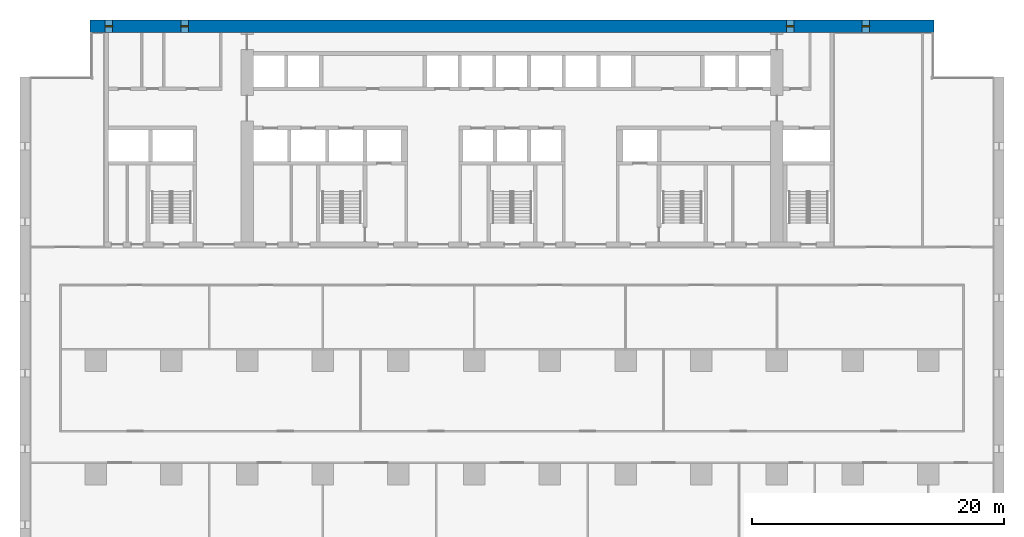
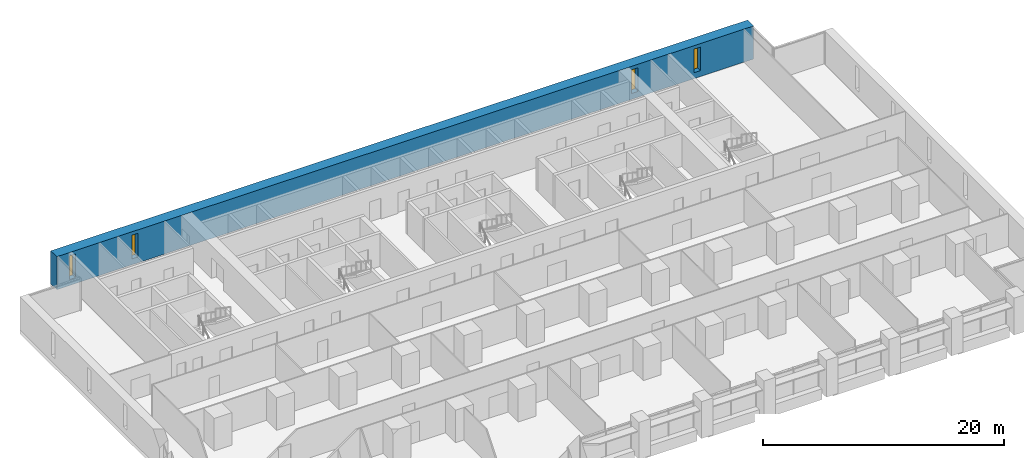
# One storey, part 12 of 18: 4 windows, 1 wall, 4 openings.
"""IFC4 building model written with IfcOpenShell, lengths in metres."""

from ifc_helpers import new_model, si_unit, direction, frame, frame_2d, origin, place, context, subcontext, project, spatial, rectangle, extrude, material, layer, layer_set, type_object, element, fill, save


model = new_model("IFC4")

# Units and contexts
model_context = context("Model", 3, precision=1e-05, world=origin(), true_north=direction((0.0, 1.0)))
body_context = subcontext(model_context, "Body", "Model", "MODEL_VIEW")
ifc_project = project(units=[si_unit("LENGTHUNIT", "METRE"), si_unit("AREAUNIT", "SQUARE_METRE"), si_unit("VOLUMEUNIT", "CUBIC_METRE"), si_unit("PLANEANGLEUNIT", "RADIAN"), si_unit("MASSUNIT", "GRAM", prefix="KILO")], contexts=[model_context])

# Site, building, storey
site_placement = place(None, origin())
site = spatial("IfcSite", under=ifc_project, at=site_placement, CompositionType="ELEMENT")
building_placement = place(site_placement, origin())
building = spatial("IfcBuilding", under=site, at=building_placement, Name="Calvaro Tower", CompositionType="ELEMENT")
storey_placement = place(building_placement, frame((0.0, 0.0, 48.75)))
storey = spatial("IfcBuildingStorey", under=building, at=storey_placement, Name="L11", CompositionType="ELEMENT", Elevation=48.75)

# Wall, openings, windows
ifc_material_1 = material(Name="Concrete C80/95", Category="concrete")
ifc_layer = layer(ifc_material_1, 1.0)
ifc_layer_set = layer_set([ifc_layer], Name="Concrete C80/95")
wall_type = type_object("IfcWallType", Name="Rear core wall 1000 C80/95", PredefinedType="SHEAR", material=ifc_layer_set)
wall_placement = place(storey_placement, frame((5.550048828125, 45.5, 0.0), z_axis=(0.0, 0.0, 1.0), x_axis=(1.0, 0.0, 0.0)))
wall = element("IfcWall", 1, at=wall_placement, inside=storey, type_object=wall_type, Name="North core wall", PredefinedType="SHEAR", context=body_context, shape_type="SweptSolid", body=[
    extrude(rectangle(XDim=66.89990234375, YDim=1.0, at=frame_2d((33.449951171875, 0.0))), origin(), (0.0, 0.0, 1.0), 3.35009765625),
])
opening_1_placement = place(wall_placement, frame((1.199951171875, 0.0, 0.60009765625)))
opening_1 = element("IfcOpeningElement", 2, at=opening_1_placement, cuts=wall, Name="Opening WN01", PredefinedType="OPENING", context=body_context, shape_type="SweptSolid", body=[
    extrude(rectangle(XDim=0.60009765625, YDim=2.39990234375, at=frame_2d((0.300048828125, 1.199951171875))), frame((0.0, 0.510009765625, 0.0), z_axis=(0.0, -1.0, 0.0), x_axis=(1.0, 0.0, 0.0)), (0.0, 0.0, 1.0), 1.02001953125),
])
opening_2_placement = place(wall_placement, frame((7.199951171875, 0.0, 0.60009765625)))
opening_2 = element("IfcOpeningElement", 3, at=opening_2_placement, cuts=wall, Name="Opening WN02", PredefinedType="OPENING", context=body_context, shape_type="SweptSolid", body=[
    extrude(rectangle(XDim=0.60009765625, YDim=2.39990234375, at=frame_2d((0.300048828125, 1.199951171875))), frame((0.0, 0.510009765625, 0.0), z_axis=(0.0, -1.0, 0.0), x_axis=(1.0, 0.0, 0.0)), (0.0, 0.0, 1.0), 1.02001953125),
])
opening_3_placement = place(wall_placement, frame((55.199951171875, 0.0, 0.60009765625)))
opening_3 = element("IfcOpeningElement", 4, at=opening_3_placement, cuts=wall, Name="Opening WN10", PredefinedType="OPENING", context=body_context, shape_type="SweptSolid", body=[
    extrude(rectangle(XDim=0.60009765625, YDim=2.39990234375, at=frame_2d((0.300048828125, 1.199951171875))), frame((0.0, 0.510009765625, 0.0), z_axis=(0.0, -1.0, 0.0), x_axis=(1.0, 0.0, 0.0)), (0.0, 0.0, 1.0), 1.02001953125),
])
opening_4_placement = place(wall_placement, frame((61.199951171875, 0.0, 0.60009765625)))
opening_4 = element("IfcOpeningElement", 5, at=opening_4_placement, cuts=wall, Name="Opening WN11", PredefinedType="OPENING", context=body_context, shape_type="SweptSolid", body=[
    extrude(rectangle(XDim=0.60009765625, YDim=2.39990234375, at=frame_2d((0.300048828125, 1.199951171875))), frame((0.0, 0.510009765625, 0.0), z_axis=(0.0, -1.0, 0.0), x_axis=(1.0, 0.0, 0.0)), (0.0, 0.0, 1.0), 1.02001953125),
])
ifc_material_2 = material(Name="Glass", Category="glass")
window_type = type_object("IfcWindowType", Name="Slit window 600 x 2400", PartitioningType="SINGLE_PANEL", PredefinedType="WINDOW", material=ifc_material_2)
window_1_placement = place(opening_1_placement, origin())
window_1 = element("IfcWindow", 6, at=window_1_placement, inside=storey, type_object=window_type, Name="Window WN01", OverallHeight=2.39990234375, OverallWidth=0.60009765625, PartitioningType="SINGLE_PANEL", PredefinedType="WINDOW", context=body_context, shape_type="SweptSolid", body=[
    extrude(rectangle(XDim=0.60009765625, YDim=2.39990234375, at=frame_2d((0.300048828125, 1.199951171875))), frame((0.0, 0.030029296875, 0.0), z_axis=(0.0, -1.0, 0.0), x_axis=(1.0, 0.0, 0.0)), (0.0, 0.0, 1.0), 0.06005859375),
])
fill(opening_1, window_1)
window_2_placement = place(opening_2_placement, origin())
window_2 = element("IfcWindow", 7, at=window_2_placement, inside=storey, type_object=window_type, Name="Window WN02", OverallHeight=2.39990234375, OverallWidth=0.60009765625, PartitioningType="SINGLE_PANEL", PredefinedType="WINDOW", context=body_context, shape_type="SweptSolid", body=[
    extrude(rectangle(XDim=0.60009765625, YDim=2.39990234375, at=frame_2d((0.300048828125, 1.199951171875))), frame((0.0, 0.030029296875, 0.0), z_axis=(0.0, -1.0, 0.0), x_axis=(1.0, 0.0, 0.0)), (0.0, 0.0, 1.0), 0.06005859375),
])
fill(opening_2, window_2)
window_3_placement = place(opening_3_placement, origin())
window_3 = element("IfcWindow", 8, at=window_3_placement, inside=storey, type_object=window_type, Name="Window WN10", OverallHeight=2.39990234375, OverallWidth=0.60009765625, PartitioningType="SINGLE_PANEL", PredefinedType="WINDOW", context=body_context, shape_type="SweptSolid", body=[
    extrude(rectangle(XDim=0.60009765625, YDim=2.39990234375, at=frame_2d((0.300048828125, 1.199951171875))), frame((0.0, 0.030029296875, 0.0), z_axis=(0.0, -1.0, 0.0), x_axis=(1.0, 0.0, 0.0)), (0.0, 0.0, 1.0), 0.06005859375),
])
fill(opening_3, window_3)
window_4_placement = place(opening_4_placement, origin())
window_4 = element("IfcWindow", 9, at=window_4_placement, inside=storey, type_object=window_type, Name="Window WN11", OverallHeight=2.39990234375, OverallWidth=0.60009765625, PartitioningType="SINGLE_PANEL", PredefinedType="WINDOW", context=body_context, shape_type="SweptSolid", body=[
    extrude(rectangle(XDim=0.60009765625, YDim=2.39990234375, at=frame_2d((0.300048828125, 1.199951171875))), frame((0.0, 0.030029296875, 0.0), z_axis=(0.0, -1.0, 0.0), x_axis=(1.0, 0.0, 0.0)), (0.0, 0.0, 1.0), 0.06005859375),
])
fill(opening_4, window_4)

save(model, "model.ifc")
